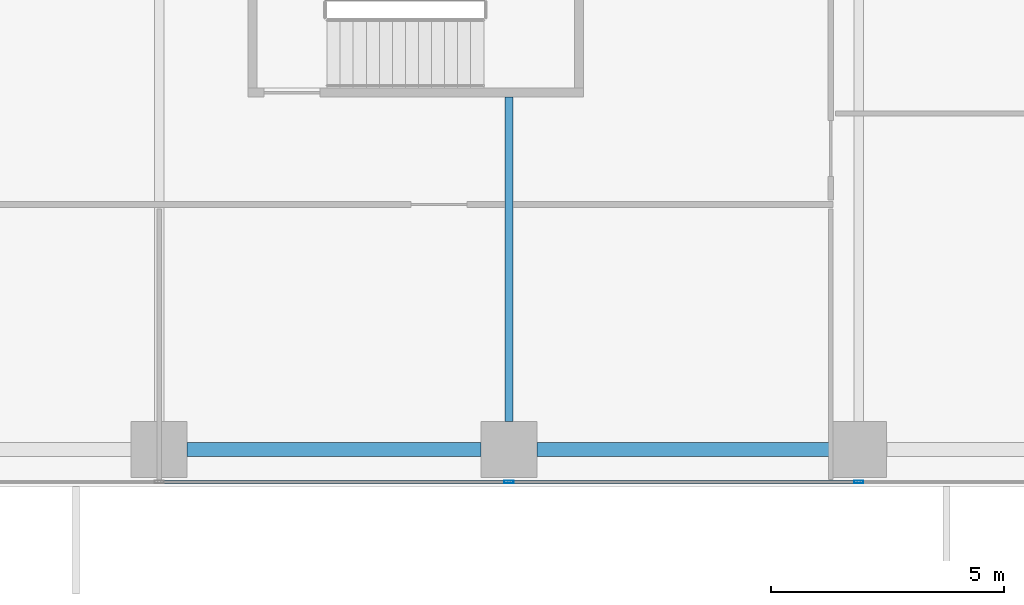
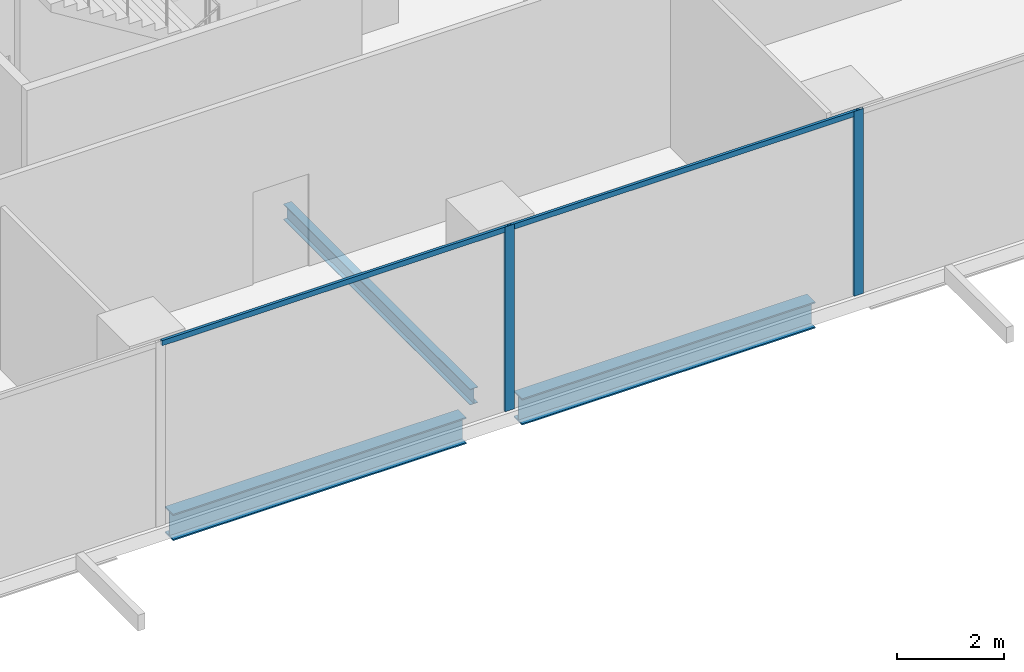
# One storey, part 3 of 32: 4 members, 3 beams, 1 element without a shape of its own.
"""IFC4 building model written with IfcOpenShell, lengths in metres."""

from ifc_helpers import new_model, si_unit, direction, frame, origin, origin_2d, place, context, subcontext, project, spatial, hollow_rectangle, i_section, extrude, source, transform, mapped, material, material_profile, profile_set, type_object, element, aggregate, save


model = new_model("IFC4")

# Units and contexts
model_context = context("Model", 3, precision=1e-05, world=origin(), true_north=direction((0.0, 1.0)))
body_context = subcontext(model_context, "Body", "Model", "MODEL_VIEW")
ifc_project = project(units=[si_unit("LENGTHUNIT", "METRE"), si_unit("AREAUNIT", "SQUARE_METRE"), si_unit("VOLUMEUNIT", "CUBIC_METRE"), si_unit("PLANEANGLEUNIT", "RADIAN"), si_unit("MASSUNIT", "GRAM", prefix="KILO")], contexts=[model_context])

# Site, building, storey
site_placement = place(None, origin())
site = spatial("IfcSite", under=ifc_project, at=site_placement, CompositionType="ELEMENT")
building_placement = place(site_placement, origin())
building = spatial("IfcBuilding", under=site, at=building_placement, Name="Khomas Fold Tower", CompositionType="ELEMENT")
storey_placement = place(building_placement, frame((0.0, 0.0, 64.5)))
storey = spatial("IfcBuildingStorey", under=building, at=storey_placement, Name="L13", CompositionType="ELEMENT", Elevation=64.5)

# Beams
ifc_material_1 = material(Name="Steel S355", Category="steel")
ifc_material_profile_1 = material_profile(ifc_material_1, i_section(OverallWidth=0.169921875, OverallDepth=0.360107421875, WebThickness=0.008056640625, FlangeThickness=0.0126953125, at=origin_2d()), Name="IPE 360")
ifc_profile_set_1 = profile_set([ifc_material_profile_1], Name="Steel S355")
beam_type_1 = type_object("IfcBeamType", Name="IPE 360 beam JB2", PredefinedType="BEAM", material=ifc_profile_set_1)
shared_shape_1 = source(origin(), body_context, "Body", "SweptSolid", [
    extrude(i_section(OverallWidth=0.169921875, OverallDepth=0.360107421875, WebThickness=0.008056640625, FlangeThickness=0.0126953125, at=origin_2d()), origin(), (0.0, 0.0, 1.0), 6.9501953125),
])
beam_placement = place(storey_placement, frame((19.5, 1.39990234375, -0.47998046875), z_axis=(0.0, 1.0, 0.0), x_axis=(-1.0, 0.0, 0.0)))
element("IfcBeam", 1, at=beam_placement, inside=storey, type_object=beam_type_1, Name="JB2", PredefinedType="BEAM", context=body_context, shape_type="MappedRepresentation", body=[
    mapped(shared_shape_1, transform((0.0, 0.0, 0.0))),
])
ifc_material_2 = material(Name="Steel S355", Category="steel")
ifc_material_profile_2 = material_profile(ifc_material_2, i_section(OverallWidth=0.300048828125, OverallDepth=0.60009765625, WebThickness=0.015380859375, FlangeThickness=0.030029296875, at=origin_2d()), Name="HE 600 B")
ifc_profile_set_2 = profile_set([ifc_material_profile_2], Name="Steel S355")
beam_type_2 = type_object("IfcBeamType", Name="HE 600 B spandrel SB1", PredefinedType="SPANDREL", material=ifc_profile_set_2)
shared_shape_2 = source(origin(), body_context, "Body", "SweptSolid", [
    extrude(i_section(OverallWidth=0.300048828125, OverallDepth=0.60009765625, WebThickness=0.015380859375, FlangeThickness=0.030029296875, at=origin_2d()), origin(), (0.0, 0.0, 1.0), 6.2998046875),
])
for number, where, z_axis, x_axis, name in (
    (2, (12.60009765625, 0.800048828125, -0.60009765625), (1.0, 0.0, 0.0), (0.0, 1.0, 0.0), "SB1"),
    (3, (20.10009765625, 0.800048828125, -0.60009765625), (1.0, 0.0, 0.0), (0.0, 1.0, 0.0), "SB1"),
):
    element("IfcBeam", number, at=place(storey_placement, frame(where, z_axis=z_axis, x_axis=x_axis)), inside=storey, type_object=beam_type_2, Name=name, PredefinedType="SPANDREL", context=body_context, shape_type="MappedRepresentation", body=[
        mapped(shared_shape_2, transform((0.0, 0.0, 0.0))),
    ])

# Curtain wall, members
ifc_material_3 = material(Name="Aluminium framed double glazing", Category="aluminium")
curtain_wall_type = type_object("IfcCurtainWallType", Name="SK-Unitised clear-glass wall, growing floors CW1", PredefinedType="NOTDEFINED", material=ifc_material_3)
curtain_wall_placement = place(storey_placement, origin())
curtain_wall = element("IfcCurtainWall", 4, at=curtain_wall_placement, inside=storey, type_object=curtain_wall_type, Name="CW1 run L13 00-0", PredefinedType="NOTDEFINED")
ifc_material_4 = material(Name="Aluminium", Category="aluminium")
ifc_material_profile_3 = material_profile(ifc_material_4, hollow_rectangle(XDim=0.06005859375, YDim=0.1201171875, WallThickness=0.00390625, at=origin_2d()), Name="SK-Unitised clear-glass wall, growing floors transom CW1-T")
ifc_profile_set_3 = profile_set([ifc_material_profile_3], Name="Aluminium")
member_type_1 = type_object("IfcMemberType", Name="SK-Unitised clear-glass wall, growing floors transom CW1-T", PredefinedType="USERDEFINED", material=ifc_profile_set_3)
shared_shape_3 = source(origin(), body_context, "Body", "SweptSolid", [
    extrude(hollow_rectangle(XDim=0.06005859375, YDim=0.1201171875, WallThickness=0.00390625, at=origin_2d()), origin(), (0.0, 0.0, 1.0), 7.43994140625),
])
member_1_placement = place(storey_placement, frame((12.030029296875, 0.10009765625, 4.139892578125), z_axis=(1.0, 0.0, 0.0), x_axis=(0.0, 1.0, 0.0)))
member_1 = element("IfcMember", 5, at=member_1_placement, type_object=member_type_1, Name="CW1 transom 3", ObjectType="TRANSOM", PredefinedType="USERDEFINED", context=body_context, shape_type="MappedRepresentation", body=[
    mapped(shared_shape_3, transform((0.0, 0.0, 0.0))),
])
member_2_placement = place(storey_placement, frame((19.530029296875, 0.10009765625, 4.139892578125), z_axis=(1.0, 0.0, 0.0), x_axis=(0.0, 1.0, 0.0)))
member_2 = element("IfcMember", 6, at=member_2_placement, type_object=member_type_1, Name="CW1 transom 4", ObjectType="TRANSOM", PredefinedType="USERDEFINED", context=body_context, shape_type="MappedRepresentation", body=[
    mapped(shared_shape_3, transform((0.0, 0.0, 0.0))),
])
ifc_material_5 = material(Name="Aluminium", Category="aluminium")
ifc_material_profile_4 = material_profile(ifc_material_5, hollow_rectangle(XDim=0.06005859375, YDim=0.199951171875, WallThickness=0.00390625, at=origin_2d()), Name="SK-Unitised clear-glass wall, growing floors mullion CW1-M")
ifc_profile_set_4 = profile_set([ifc_material_profile_4], Name="Aluminium")
member_type_2 = type_object("IfcMemberType", Name="SK-Unitised clear-glass wall, growing floors mullion CW1-M", PredefinedType="MULLION", material=ifc_profile_set_4)
shared_shape_4 = source(origin(), body_context, "Body", "SweptSolid", [
    extrude(hollow_rectangle(XDim=0.06005859375, YDim=0.199951171875, WallThickness=0.00390625, at=origin_2d()), origin(), (0.0, 0.0, 1.0), 4.199951171875),
])
member_3_placement = place(storey_placement, frame((19.5, 0.10009765625, 0.0), z_axis=(0.0, 0.0, 1.0), x_axis=(0.0, 1.0, 0.0)))
member_3 = element("IfcMember", 7, at=member_3_placement, type_object=member_type_2, Name="CW1 mullion 4", PredefinedType="MULLION", context=body_context, shape_type="MappedRepresentation", body=[
    mapped(shared_shape_4, transform((0.0, 0.0, 0.0))),
])
member_4_placement = place(storey_placement, frame((27.0, 0.10009765625, 0.0), z_axis=(0.0, 0.0, 1.0), x_axis=(0.0, 1.0, 0.0)))
member_4 = element("IfcMember", 8, at=member_4_placement, type_object=member_type_2, Name="CW1 mullion 5", PredefinedType="MULLION", context=body_context, shape_type="MappedRepresentation", body=[
    mapped(shared_shape_4, transform((0.0, 0.0, 0.0))),
])
aggregate(curtain_wall, [member_3, member_4, member_1, member_2])

save(model, "model.ifc")
